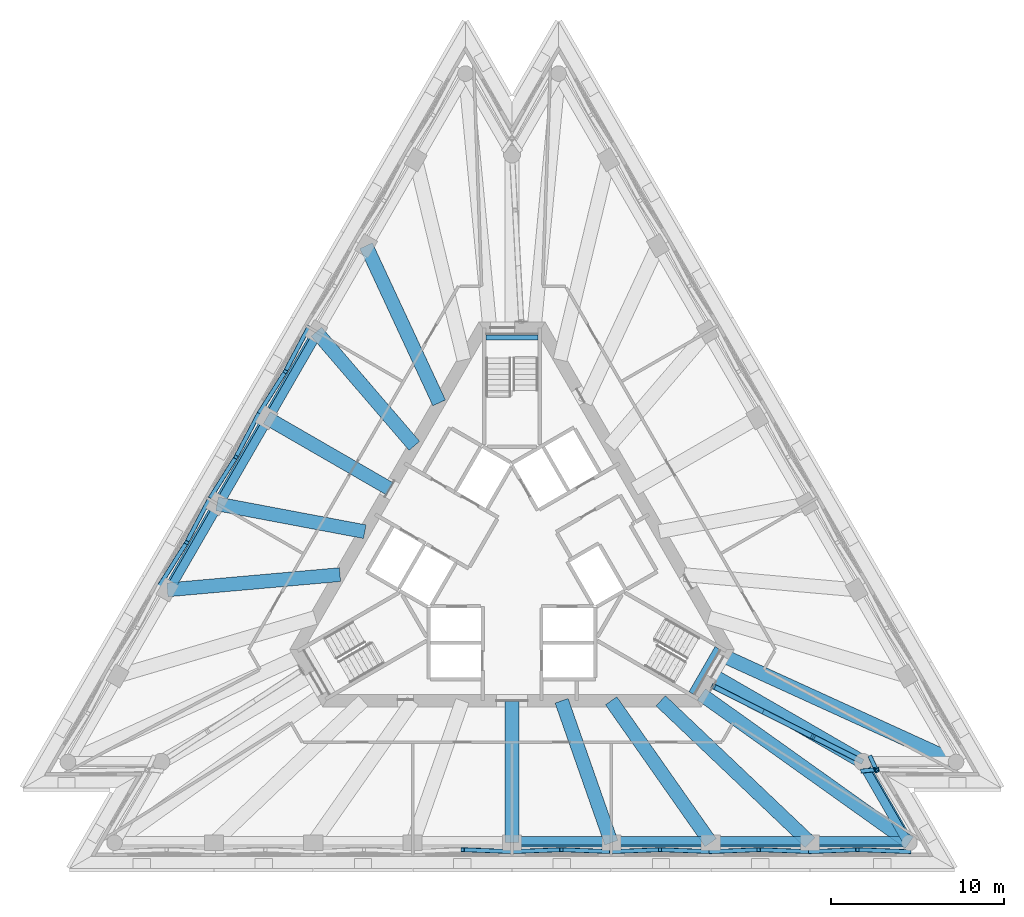
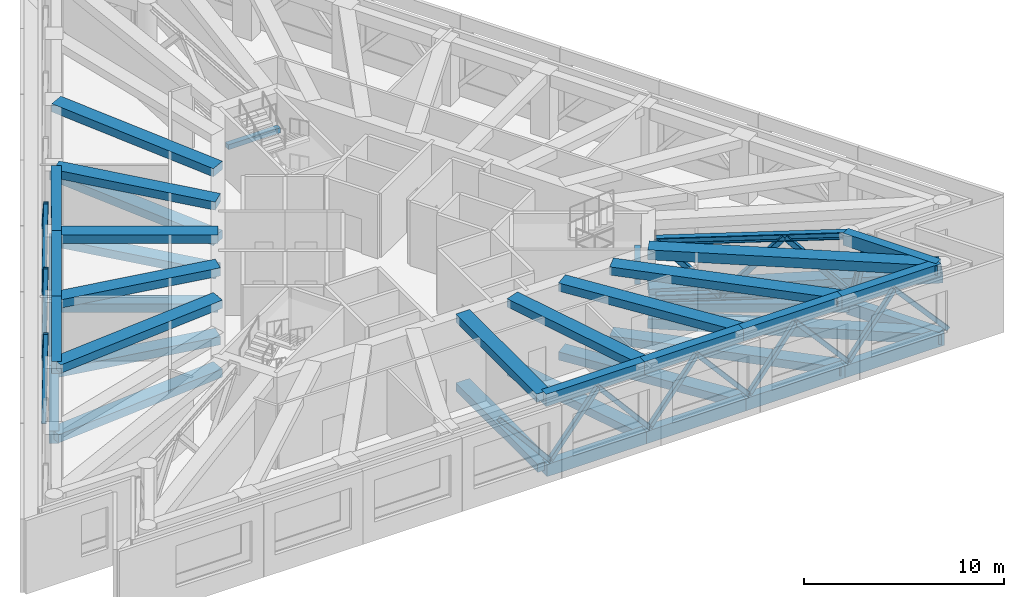
# One storey, part 2 of 12: 40 beams, 22 members.
"""IFC4 building model written with IfcOpenShell, lengths in metres."""

from ifc_helpers import new_model, si_unit, direction, frame, origin, origin_2d, place, context, subcontext, project, spatial, rectangle, hollow_rectangle, i_section, extrude, material, material_profile, profile_set, type_object, element, save


model = new_model("IFC4")

# Units and contexts
model_context = context("Model", 3, precision=1e-05, world=origin(), true_north=direction((0.0, 1.0)))
body_context = subcontext(model_context, "Body", "Model", "MODEL_VIEW")
ifc_project = project(units=[si_unit("LENGTHUNIT", "METRE"), si_unit("AREAUNIT", "SQUARE_METRE"), si_unit("VOLUMEUNIT", "CUBIC_METRE"), si_unit("PLANEANGLEUNIT", "RADIAN"), si_unit("MASSUNIT", "GRAM", prefix="KILO")], contexts=[model_context])

# Site, building, storey
site_placement = place(None, origin())
site = spatial("IfcSite", under=ifc_project, at=site_placement, CompositionType="ELEMENT")
building_placement = place(site_placement, origin())
building = spatial("IfcBuilding", under=site, at=building_placement, Name="Triada Interchange Tower", CompositionType="ELEMENT")
storey_placement = place(building_placement, frame((0.0, 0.0, 251.300048828125)))
storey = spatial("IfcBuildingStorey", under=building, at=storey_placement, Name="L59", CompositionType="ELEMENT", Elevation=251.300048828125)

# Members
ifc_material_1 = material(Name="Steel S355", Category="steel")
ifc_material_profile_1 = material_profile(ifc_material_1, hollow_rectangle(XDim=0.25, YDim=0.25, WallThickness=0.012451171875, InnerFilletRadius=0.012451171875, OuterFilletRadius=0.018798828125, at=origin_2d()), Name="RHS 250x250x12.5")
ifc_profile_set_1 = profile_set([ifc_material_profile_1], Name="Steel S355")
member_type_1 = type_object("IfcMemberType", Name="Belt truss diagonal RHS 250x250x12.5", PredefinedType="BRACE", material=ifc_profile_set_1)
member_1_placement = place(storey_placement, frame((-11.72509765625, 13.385009765625, 0.14990234375), z_axis=(-0.303292551184, -0.574865000495, 0.75996306463), x_axis=(0.884453601696, -0.466628145793, 0.0)))
element("IfcMember", 1, at=member_1_placement, inside=storey, type_object=member_type_1, Name="Belt truss diagonal 007 L59", PredefinedType="BRACE", context=body_context, shape_type="SweptSolid", body=[
    extrude(hollow_rectangle(XDim=0.25, YDim=0.25, WallThickness=0.012451171875, InnerFilletRadius=0.012451171875, OuterFilletRadius=0.018798828125, at=origin_2d()), origin(), (0.0, 0.0, 1.0), 4.44091796875),
])
member_2_placement = place(storey_placement, frame((-14.590087890625, 8.424072265625, 0.14990234375), z_axis=(0.343832386921, 0.545387396623, 0.764416036795), x_axis=(-0.845924761452, 0.5333022576, 0.0)))
element("IfcMember", 2, at=member_2_placement, inside=storey, type_object=member_type_1, Name="Belt truss diagonal 008 L59", PredefinedType="BRACE", context=body_context, shape_type="SweptSolid", body=[
    extrude(hollow_rectangle(XDim=0.25, YDim=0.25, WallThickness=0.012451171875, InnerFilletRadius=0.012451171875, OuterFilletRadius=0.018798828125, at=origin_2d()), origin(), (0.0, 0.0, 1.0), 4.4150390625),
])
member_3_placement = place(storey_placement, frame((-14.590087890625, 8.423095703125, 0.14990234375), z_axis=(-0.300508713361, -0.570496578558, 0.764348197517), x_axis=(0.884760065526, -0.466046807146, 0.0)))
element("IfcMember", 3, at=member_3_placement, inside=storey, type_object=member_type_1, Name="Belt truss diagonal 009 L59", PredefinedType="BRACE", context=body_context, shape_type="SweptSolid", body=[
    extrude(hollow_rectangle(XDim=0.25, YDim=0.25, WallThickness=0.012451171875, InnerFilletRadius=0.012451171875, OuterFilletRadius=0.018798828125, at=origin_2d()), origin(), (0.0, 0.0, 1.0), 4.41552734375),
])
member_4_placement = place(storey_placement, frame((-17.4541015625, 3.4619140625, 0.14990234375), z_axis=(0.346162693565, 0.549978625117, 0.760062432632), x_axis=(-0.846316189316, 0.532680868533, 0.0)))
element("IfcMember", 4, at=member_4_placement, inside=storey, type_object=member_type_1, Name="Belt truss diagonal 010 L59", PredefinedType="BRACE", context=body_context, shape_type="SweptSolid", body=[
    extrude(hollow_rectangle(XDim=0.25, YDim=0.25, WallThickness=0.012451171875, InnerFilletRadius=0.012451171875, OuterFilletRadius=0.018798828125, at=origin_2d()), origin(), (0.0, 0.0, 1.0), 4.4404296875),
])
member_5_placement = place(storey_placement, frame((-17.4541015625, 3.4619140625, 0.14990234375), z_axis=(-0.297890694584, -0.565975637385, 0.768721478799), x_axis=(0.884912564378, -0.465757182882, 0.0)))
element("IfcMember", 5, at=member_5_placement, inside=storey, type_object=member_type_1, Name="Belt truss diagonal 011 L59", PredefinedType="BRACE", context=body_context, shape_type="SweptSolid", body=[
    extrude(hollow_rectangle(XDim=0.25, YDim=0.25, WallThickness=0.012451171875, InnerFilletRadius=0.012451171875, OuterFilletRadius=0.018798828125, at=origin_2d()), origin(), (0.0, 0.0, 1.0), 4.390380859375),
])
member_6_placement = place(storey_placement, frame((-20.318115234375, -1.4990234375, 0.14990234375), z_axis=(0.348461595906, 0.554455209551, 0.755747270442), x_axis=(-0.846673085797, 0.532113414402, 0.0)))
element("IfcMember", 6, at=member_6_placement, inside=storey, type_object=member_type_1, Name="Belt truss diagonal 012 L59", PredefinedType="BRACE", context=body_context, shape_type="SweptSolid", body=[
    extrude(hollow_rectangle(XDim=0.25, YDim=0.25, WallThickness=0.012451171875, InnerFilletRadius=0.012451171875, OuterFilletRadius=0.018798828125, at=origin_2d()), origin(), (0.0, 0.0, 1.0), 4.4658203125),
])
for number, where, z_axis, x_axis, name in (
    (7, (0.0, -16.846923828125, 0.14990234375), (-0.644315944124, 0.024881333121, 0.764354553469), (-0.03858790391, -0.999255209479, 0.0), "Belt truss diagonal 028 L59"),
    (8, (0.0, -16.846923828125, 0.14990234375), (0.644315944124, 0.024881333121, 0.764354553469), (-0.03858790391, 0.999255209479, 0.0), "Belt truss diagonal 029 L59"),
):
    element("IfcMember", number, at=place(storey_placement, frame(where, z_axis=z_axis, x_axis=x_axis)), inside=storey, type_object=member_type_1, Name=name, PredefinedType="BRACE", context=body_context, shape_type="SweptSolid", body=[
        extrude(hollow_rectangle(XDim=0.25, YDim=0.25, WallThickness=0.012451171875, InnerFilletRadius=0.012451171875, OuterFilletRadius=0.018798828125, at=origin_2d()), origin(), (0.0, 0.0, 1.0), 4.41552734375),
    ])
member_7_placement = place(storey_placement, frame((5.72900390625, -16.846923828125, 0.14990234375), z_axis=(-0.649445975275, 0.024739751873, 0.760005177533), x_axis=(-0.038066016418, -0.999275226549, 0.0)))
element("IfcMember", 9, at=member_7_placement, inside=storey, type_object=member_type_1, Name="Belt truss diagonal 030 L59", PredefinedType="BRACE", context=body_context, shape_type="SweptSolid", body=[
    extrude(hollow_rectangle(XDim=0.25, YDim=0.25, WallThickness=0.012451171875, InnerFilletRadius=0.012451171875, OuterFilletRadius=0.018798828125, at=origin_2d()), origin(), (0.0, 0.0, 1.0), 4.440673828125),
])
member_8_placement = place(storey_placement, frame((5.72900390625, -16.846923828125, 0.14990234375), z_axis=(0.639097435912, 0.025023392166, 0.76871860733), x_axis=(-0.039124289424, 0.99923435188, 0.0)))
element("IfcMember", 10, at=member_8_placement, inside=storey, type_object=member_type_1, Name="Belt truss diagonal 031 L59", PredefinedType="BRACE", context=body_context, shape_type="SweptSolid", body=[
    extrude(hollow_rectangle(XDim=0.25, YDim=0.25, WallThickness=0.012451171875, InnerFilletRadius=0.012451171875, OuterFilletRadius=0.018798828125, at=origin_2d()), origin(), (0.0, 0.0, 1.0), 4.390380859375),
])
member_9_placement = place(storey_placement, frame((11.4580078125, -16.846923828125, 0.14990234375), z_axis=(-0.65448883738, 0.024598678428, 0.755671401315), x_axis=(-0.037558047393, -0.999294447636, 0.0)))
element("IfcMember", 11, at=member_9_placement, inside=storey, type_object=member_type_1, Name="Belt truss diagonal 032 L59", PredefinedType="BRACE", context=body_context, shape_type="SweptSolid", body=[
    extrude(hollow_rectangle(XDim=0.25, YDim=0.25, WallThickness=0.012451171875, InnerFilletRadius=0.012451171875, OuterFilletRadius=0.018798828125, at=origin_2d()), origin(), (0.0, 0.0, 1.0), 4.46630859375),
])
member_10_placement = place(storey_placement, frame((11.4580078125, -16.846923828125, 0.14990234375), z_axis=(0.633688749603, 0.025168573462, 0.773178576744), x_axis=(-0.039686274076, 0.999212189502, 0.0)))
element("IfcMember", 12, at=member_10_placement, inside=storey, type_object=member_type_1, Name="Belt truss diagonal 033 L59", PredefinedType="BRACE", context=body_context, shape_type="SweptSolid", body=[
    extrude(hollow_rectangle(XDim=0.25, YDim=0.25, WallThickness=0.012451171875, InnerFilletRadius=0.012451171875, OuterFilletRadius=0.018798828125, at=origin_2d()), origin(), (0.0, 0.0, 1.0), 4.364990234375),
])
member_11_placement = place(storey_placement, frame((17.18603515625, -16.846923828125, 0.14990234375), z_axis=(-0.659415122741, 0.024459017906, 0.751381030067), x_axis=(-0.037066498562, -0.999312801221, 0.0)))
element("IfcMember", 13, at=member_11_placement, inside=storey, type_object=member_type_1, Name="Belt truss diagonal 034 L59", PredefinedType="BRACE", context=body_context, shape_type="SweptSolid", body=[
    extrude(hollow_rectangle(XDim=0.25, YDim=0.25, WallThickness=0.012451171875, InnerFilletRadius=0.012451171875, OuterFilletRadius=0.018798828125, at=origin_2d()), origin(), (0.0, 0.0, 1.0), 4.49169921875),
])
member_12_placement = place(storey_placement, frame((17.18603515625, -16.846923828125, 0.14990234375), z_axis=(0.628423805932, 0.025307921306, 0.77745934251), x_axis=(-0.040239442414, 0.99919006564, 0.0)))
element("IfcMember", 14, at=member_12_placement, inside=storey, type_object=member_type_1, Name="Belt truss diagonal 035 L59", PredefinedType="BRACE", context=body_context, shape_type="SweptSolid", body=[
    extrude(hollow_rectangle(XDim=0.25, YDim=0.25, WallThickness=0.012451171875, InnerFilletRadius=0.012451171875, OuterFilletRadius=0.018798828125, at=origin_2d()), origin(), (0.0, 0.0, 1.0), 4.341064453125),
])
member_13_placement = place(storey_placement, frame((22.9150390625, -16.846923828125, 0.14990234375), z_axis=(-0.664288100103, 0.024319040437, 0.747080922212), x_axis=(-0.03658466894, -0.999330556922, 0.0)))
element("IfcMember", 15, at=member_13_placement, inside=storey, type_object=member_type_1, Name="Belt truss diagonal 036 L59", PredefinedType="BRACE", context=body_context, shape_type="SweptSolid", body=[
    extrude(hollow_rectangle(XDim=0.25, YDim=0.25, WallThickness=0.012451171875, InnerFilletRadius=0.012451171875, OuterFilletRadius=0.018798828125, at=origin_2d()), origin(), (0.0, 0.0, 1.0), 4.517578125),
])
member_14_placement = place(storey_placement, frame((20.675048828125, -11.422119140625, 0.14990234375), z_axis=(0.098439563128, -0.216412458554, 0.971326567223), x_axis=(0.910255111941, 0.414047860984, 0.0)))
element("IfcMember", 16, at=member_14_placement, inside=storey, type_object=member_type_1, Name="Belt truss diagonal 038 L59", PredefinedType="BRACE", context=body_context, shape_type="SweptSolid", body=[
    extrude(hollow_rectangle(XDim=0.25, YDim=0.25, WallThickness=0.012451171875, InnerFilletRadius=0.012451171875, OuterFilletRadius=0.018798828125, at=origin_2d()), origin(), (0.0, 0.0, 1.0), 3.474609375),
])
member_15_placement = place(storey_placement, frame((20.22900390625, -12.194091796875, 0.14990234375), z_axis=(0.236846343965, 0.02304526871, 0.971273764157), x_axis=(-0.096843158335, 0.995299654719, 0.0)))
element("IfcMember", 17, at=member_15_placement, inside=storey, type_object=member_type_1, Name="Belt truss diagonal 039 L59", PredefinedType="BRACE", context=body_context, shape_type="SweptSolid", body=[
    extrude(hollow_rectangle(XDim=0.25, YDim=0.25, WallThickness=0.012451171875, InnerFilletRadius=0.012451171875, OuterFilletRadius=0.018798828125, at=origin_2d()), origin(), (0.0, 0.0, 1.0), 3.474853515625),
])

# Beams
ifc_material_2 = material(Name="Concrete C35/45", Category="concrete")
ifc_material_profile_2 = material_profile(ifc_material_2, rectangle(XDim=0.300048828125, YDim=0.300048828125, at=origin_2d()), Name="RC 300x300")
ifc_profile_set_2 = profile_set([ifc_material_profile_2], Name="Concrete C35/45")
beam_type_1 = type_object("IfcBeamType", Name="Landing support beam RC 300x300", PredefinedType="BEAM", material=ifc_profile_set_2)
beam_1_placement = place(storey_placement, frame((1.5, 12.800048828125, 1.822265625), z_axis=(-1.0, 0.0, 0.0), x_axis=(0.0, -1.0, 0.0)))
element("IfcBeam", 18, at=beam_1_placement, inside=storey, type_object=beam_type_1, Name="Landing support beam S59-1 1", PredefinedType="BEAM", context=body_context, shape_type="SweptSolid", body=[
    extrude(rectangle(XDim=0.300048828125, YDim=0.300048828125, at=origin_2d()), origin(), (0.0, 0.0, 1.0), 3.0),
])
beam_2_placement = place(storey_placement, frame((10.3349609375, -7.698974609375, 1.822265625), z_axis=(0.50002537861, 0.866010750942, 0.0), x_axis=(-0.866010750942, 0.50002537861, 0.0)))
element("IfcBeam", 19, at=beam_2_placement, inside=storey, type_object=beam_type_1, Name="Landing support beam S59-3 1", PredefinedType="BEAM", context=body_context, shape_type="SweptSolid", body=[
    extrude(rectangle(XDim=0.300048828125, YDim=0.300048828125, at=origin_2d()), origin(), (0.0, 0.0, 1.0), 2.999755859375),
])

# Members
ifc_material_3 = material(Name="Steel S460M", Category="steel")
ifc_material_profile_3 = material_profile(ifc_material_3, i_section(OverallWidth=0.306884765625, OverallDepth=0.431884765625, WebThickness=0.02099609375, FlangeThickness=0.0400390625, FilletRadius=0.027099609375, at=origin_2d()), Name="HEM 400")
ifc_profile_set_3 = profile_set([ifc_material_profile_3], Name="Steel S460M")
member_type_2 = type_object("IfcMemberType", Name="Outrigger chord HEM 400", PredefinedType="CHORD", material=ifc_profile_set_3)
for number, where, z_axis, x_axis, name in (
    (20, (11.613037109375, -7.321044921875, 0.216064453125), (0.89234927401, -0.451345514184, 0.0), (0.451345514184, 0.89234927401, 0.0), "Outrigger bottom chord SE L59"),
    (21, (11.613037109375, -7.321044921875, 3.683837890625), (0.89234927401, -0.451345514184, 0.0), (0.451345514184, 0.89234927401, 0.0), "Outrigger top chord SE L59"),
):
    element("IfcMember", number, at=place(storey_placement, frame(where, z_axis=z_axis, x_axis=x_axis)), inside=storey, type_object=member_type_2, Name=name, PredefinedType="CHORD", context=body_context, shape_type="SweptSolid", body=[
        extrude(i_section(OverallWidth=0.306884765625, OverallDepth=0.431884765625, WebThickness=0.02099609375, FlangeThickness=0.0400390625, FilletRadius=0.027099609375, at=origin_2d()), origin(), (0.0, 0.0, 1.0), 9.6552734375),
    ])
ifc_material_profile_4 = material_profile(ifc_material_1, hollow_rectangle(XDim=0.300048828125, YDim=0.300048828125, WallThickness=0.01611328125, InnerFilletRadius=0.01611328125, OuterFilletRadius=0.02392578125, at=origin_2d()), Name="RHS 300x300x16")
ifc_profile_set_4 = profile_set([ifc_material_profile_4], Name="Steel S355")
member_type_3 = type_object("IfcMemberType", Name="Outrigger diagonal RHS 300x300x16", PredefinedType="BRACE", material=ifc_profile_set_4)
member_16_placement = place(storey_placement, frame((11.613037109375, -7.321044921875, 3.683837890625), z_axis=(0.607037494343, -0.307079235705, -0.732944625098), x_axis=(0.451395730172, 0.892323873256, 0.0)))
element("IfcMember", 22, at=member_16_placement, inside=storey, type_object=member_type_3, Name="Outrigger diagonal SE 1 L59", PredefinedType="BRACE", context=body_context, shape_type="SweptSolid", body=[
    extrude(hollow_rectangle(XDim=0.300048828125, YDim=0.300048828125, WallThickness=0.01611328125, InnerFilletRadius=0.01611328125, OuterFilletRadius=0.02392578125, at=origin_2d()), origin(), (0.0, 0.0, 1.0), 4.731201171875),
])
member_17_placement = place(storey_placement, frame((14.485107421875, -8.77392578125, 0.216064453125), z_axis=(0.607033758131, -0.306948634988, 0.733002422894), x_axis=(0.451245060804, 0.892400075695, 0.0)))
element("IfcMember", 23, at=member_17_placement, inside=storey, type_object=member_type_3, Name="Outrigger diagonal SE 2 L59", PredefinedType="BRACE", context=body_context, shape_type="SweptSolid", body=[
    extrude(hollow_rectangle(XDim=0.300048828125, YDim=0.300048828125, WallThickness=0.01611328125, InnerFilletRadius=0.01611328125, OuterFilletRadius=0.02392578125, at=origin_2d()), origin(), (0.0, 0.0, 1.0), 4.73095703125),
])
member_18_placement = place(storey_placement, frame((17.35693359375, -10.22607421875, 3.683837890625), z_axis=(0.607037494343, -0.307079235705, -0.732944625098), x_axis=(0.451395730172, 0.892323873256, 0.0)))
element("IfcMember", 24, at=member_18_placement, inside=storey, type_object=member_type_3, Name="Outrigger diagonal SE 3 L59", PredefinedType="BRACE", context=body_context, shape_type="SweptSolid", body=[
    extrude(hollow_rectangle(XDim=0.300048828125, YDim=0.300048828125, WallThickness=0.01611328125, InnerFilletRadius=0.01611328125, OuterFilletRadius=0.02392578125, at=origin_2d()), origin(), (0.0, 0.0, 1.0), 4.731201171875),
])

# Beams
ifc_material_4 = material(Name="Concrete C50/60", Category="concrete")
ifc_material_profile_5 = material_profile(ifc_material_4, rectangle(XDim=0.800048828125, YDim=0.5, at=origin_2d()), Name="RC 800x500")
ifc_profile_set_5 = profile_set([ifc_material_profile_5], Name="Concrete C50/60")
beam_type_2 = type_object("IfcBeamType", Name="Radial band beam C RC 800x500", PredefinedType="BEAM", material=ifc_profile_set_5)
beam_3_placement = place(storey_placement, frame((-8.4150390625, 18.087890625, -0.550048828125), z_axis=(0.421827422938, -0.90667614133, 0.0), x_axis=(0.90667614133, 0.421827422938, 0.0)))
element("IfcBeam", 25, at=beam_3_placement, inside=storey, type_object=beam_type_2, Name="Radial band beam BC03 L59", PredefinedType="BEAM", context=body_context, shape_type="SweptSolid", body=[
    extrude(rectangle(XDim=0.800048828125, YDim=0.5, at=origin_2d()), origin(), (0.0, 0.0, 1.0), 9.994873046875),
])
beam_4_placement = place(storey_placement, frame((-11.279052734375, 13.126953125, -0.550048828125), z_axis=(0.651697648525, -0.75847885594, 0.0), x_axis=(0.75847885594, 0.651697648525, 0.0)))
element("IfcBeam", 26, at=beam_4_placement, inside=storey, type_object=beam_type_2, Name="Radial band beam BC04 L59", PredefinedType="BEAM", context=body_context, shape_type="SweptSolid", body=[
    extrude(rectangle(XDim=0.800048828125, YDim=0.5, at=origin_2d()), origin(), (0.0, 0.0, 1.0), 8.669921875),
])
beam_5_placement = place(storey_placement, frame((-14.14404296875, 8.166015625, -0.550048828125), z_axis=(0.866025587421, -0.499999681933, 0.0), x_axis=(0.499999681933, 0.866025587421, 0.0)))
element("IfcBeam", 27, at=beam_5_placement, inside=storey, type_object=beam_type_2, Name="Radial band beam BC05 L59", PredefinedType="BEAM", context=body_context, shape_type="SweptSolid", body=[
    extrude(rectangle(XDim=0.800048828125, YDim=0.5, at=origin_2d()), origin(), (0.0, 0.0, 1.0), 8.18212890625),
])
beam_6_placement = place(storey_placement, frame((-17.008056640625, 3.205078125, -0.550048828125), z_axis=(0.982698994393, -0.185209844282, 0.0), x_axis=(0.185209844282, 0.982698994393, 0.0)))
element("IfcBeam", 28, at=beam_6_placement, inside=storey, type_object=beam_type_2, Name="Radial band beam BC06 L59", PredefinedType="BEAM", context=body_context, shape_type="SweptSolid", body=[
    extrude(rectangle(XDim=0.800048828125, YDim=0.5, at=origin_2d()), origin(), (0.0, 0.0, 1.0), 8.6708984375),
])
beam_7_placement = place(storey_placement, frame((-19.8720703125, -1.756103515625, -0.550048828125), z_axis=(0.996114611553, 0.088066342325, 0.0), x_axis=(-0.088066342325, 0.996114611553, 0.0)))
element("IfcBeam", 29, at=beam_7_placement, inside=storey, type_object=beam_type_2, Name="Radial band beam BC07 L59", PredefinedType="BEAM", context=body_context, shape_type="SweptSolid", body=[
    extrude(rectangle(XDim=0.800048828125, YDim=0.5, at=origin_2d()), origin(), (0.0, 0.0, 1.0), 9.993896484375),
])
beam_8_placement = place(storey_placement, frame((0.0, -16.33203125, -0.550048828125), z_axis=(0.0, 1.0, 0.0), x_axis=(-1.0, 0.0, 0.0)))
element("IfcBeam", 30, at=beam_8_placement, inside=storey, type_object=beam_type_2, Name="Radial band beam BC15 L59", PredefinedType="BEAM", context=body_context, shape_type="SweptSolid", body=[
    extrude(rectangle(XDim=0.800048828125, YDim=0.5, at=origin_2d()), origin(), (0.0, 0.0, 1.0), 8.18212890625),
])
beam_9_placement = place(storey_placement, frame((5.72900390625, -16.33203125, -0.550048828125), z_axis=(-0.331005025402, 0.943628991266, 0.0), x_axis=(-0.943628991266, -0.331005025402, 0.0)))
element("IfcBeam", 31, at=beam_9_placement, inside=storey, type_object=beam_type_2, Name="Radial band beam BC16 L59", PredefinedType="BEAM", context=body_context, shape_type="SweptSolid", body=[
    extrude(rectangle(XDim=0.800048828125, YDim=0.5, at=origin_2d()), origin(), (0.0, 0.0, 1.0), 8.6708984375),
])
beam_10_placement = place(storey_placement, frame((11.4580078125, -16.33203125, -0.550048828125), z_axis=(-0.574301411492, 0.818643932829, 0.0), x_axis=(-0.818643932829, -0.574301411492, 0.0)))
element("IfcBeam", 32, at=beam_10_placement, inside=storey, type_object=beam_type_2, Name="Radial band beam BC17 L59", PredefinedType="BEAM", context=body_context, shape_type="SweptSolid", body=[
    extrude(rectangle(XDim=0.800048828125, YDim=0.5, at=origin_2d()), origin(), (0.0, 0.0, 1.0), 9.99462890625),
])
beam_11_placement = place(storey_placement, frame((17.18603515625, -16.33203125, -0.550048828125), z_axis=(-0.724893195555, 0.688861274161, 0.0), x_axis=(-0.688861274161, -0.724893195555, 0.0)))
element("IfcBeam", 33, at=beam_11_placement, inside=storey, type_object=beam_type_2, Name="Radial band beam BC18 L59", PredefinedType="BEAM", context=body_context, shape_type="SweptSolid", body=[
    extrude(rectangle(XDim=0.800048828125, YDim=0.5, at=origin_2d()), origin(), (0.0, 0.0, 1.0), 11.877685546875),
])
beam_12_placement = place(storey_placement, frame((20.22900390625, -11.678955078125, -0.550048828125), z_axis=(-0.866024712477, 0.500001197378, 0.0), x_axis=(-0.500001197378, -0.866024712477, 0.0)))
element("IfcBeam", 34, at=beam_12_placement, inside=storey, type_object=beam_type_2, Name="Radial band beam BC20 L59", PredefinedType="BEAM", context=body_context, shape_type="SweptSolid", body=[
    extrude(rectangle(XDim=0.800048828125, YDim=0.5, at=origin_2d()), origin(), (0.0, 0.0, 1.0), 10.0078125),
])
beam_13_placement = place(storey_placement, frame((-8.35888671875, 17.966064453125, 3.64990234375), z_axis=(0.421789924473, -0.906693586397, 0.0), x_axis=(0.906693586397, 0.421789924473, 0.0)))
element("IfcBeam", 35, at=beam_13_placement, inside=storey, type_object=beam_type_2, Name="Radial band beam BC03 L60", PredefinedType="BEAM", context=body_context, shape_type="SweptSolid", body=[
    extrude(rectangle(XDim=0.800048828125, YDim=0.5, at=origin_2d()), origin(), (0.0, 0.0, 1.0), 9.860107421875),
])
beam_14_placement = place(storey_placement, frame((-11.2041015625, 13.0380859375, 3.64990234375), z_axis=(0.651735706021, -0.758446154646, 0.0), x_axis=(0.758446154646, 0.651735706021, 0.0)))
element("IfcBeam", 36, at=beam_14_placement, inside=storey, type_object=beam_type_2, Name="Radial band beam BC04 L60", PredefinedType="BEAM", context=body_context, shape_type="SweptSolid", body=[
    extrude(rectangle(XDim=0.800048828125, YDim=0.5, at=origin_2d()), origin(), (0.0, 0.0, 1.0), 8.554443359375),
])
beam_15_placement = place(storey_placement, frame((-14.048095703125, 8.111083984375, 3.64990234375), z_axis=(0.866000721582, -0.500042748392, 0.0), x_axis=(0.500042748392, 0.866000721582, 0.0)))
element("IfcBeam", 37, at=beam_15_placement, inside=storey, type_object=beam_type_2, Name="Radial band beam BC05 L60", PredefinedType="BEAM", context=body_context, shape_type="SweptSolid", body=[
    extrude(rectangle(XDim=0.800048828125, YDim=0.5, at=origin_2d()), origin(), (0.0, 0.0, 1.0), 8.071533203125),
])
beam_16_placement = place(storey_placement, frame((-16.89306640625, 3.18310546875, 3.64990234375), z_axis=(0.982705385123, -0.185175932697, 0.0), x_axis=(0.185175932697, 0.982705385123, 0.0)))
element("IfcBeam", 38, at=beam_16_placement, inside=storey, type_object=beam_type_2, Name="Radial band beam BC06 L60", PredefinedType="BEAM", context=body_context, shape_type="SweptSolid", body=[
    extrude(rectangle(XDim=0.800048828125, YDim=0.5, at=origin_2d()), origin(), (0.0, 0.0, 1.0), 8.553955078125),
])
beam_17_placement = place(storey_placement, frame((-19.738037109375, -1.743896484375, 3.64990234375), z_axis=(0.996117788909, 0.088030395992, 0.0), x_axis=(-0.088030395992, 0.996117788909, 0.0)))
element("IfcBeam", 39, at=beam_17_placement, inside=storey, type_object=beam_type_2, Name="Radial band beam BC07 L60", PredefinedType="BEAM", context=body_context, shape_type="SweptSolid", body=[
    extrude(rectangle(XDim=0.800048828125, YDim=0.5, at=origin_2d()), origin(), (0.0, 0.0, 1.0), 9.859375),
])
beam_18_placement = place(storey_placement, frame((0.0, -16.221923828125, 3.64990234375), z_axis=(0.0, 1.0, 0.0), x_axis=(-1.0, 0.0, 0.0)))
element("IfcBeam", 40, at=beam_18_placement, inside=storey, type_object=beam_type_2, Name="Radial band beam BC15 L60", PredefinedType="BEAM", context=body_context, shape_type="SweptSolid", body=[
    extrude(rectangle(XDim=0.800048828125, YDim=0.5, at=origin_2d()), origin(), (0.0, 0.0, 1.0), 8.072021484375),
])
beam_19_placement = place(storey_placement, frame((5.68994140625, -16.221923828125, 3.64990234375), z_axis=(-0.330959311485, 0.943645025495, 0.0), x_axis=(-0.943645025495, -0.330959311485, 0.0)))
element("IfcBeam", 41, at=beam_19_placement, inside=storey, type_object=beam_type_2, Name="Radial band beam BC16 L60", PredefinedType="BEAM", context=body_context, shape_type="SweptSolid", body=[
    extrude(rectangle(XDim=0.800048828125, YDim=0.5, at=origin_2d()), origin(), (0.0, 0.0, 1.0), 8.55419921875),
])
beam_20_placement = place(storey_placement, frame((11.3798828125, -16.221923828125, 3.64990234375), z_axis=(-0.574307866409, 0.818639404488, 0.0), x_axis=(-0.818639404488, -0.574307866409, 0.0)))
element("IfcBeam", 42, at=beam_20_placement, inside=storey, type_object=beam_type_2, Name="Radial band beam BC17 L60", PredefinedType="BEAM", context=body_context, shape_type="SweptSolid", body=[
    extrude(rectangle(XDim=0.800048828125, YDim=0.5, at=origin_2d()), origin(), (0.0, 0.0, 1.0), 9.8603515625),
])
beam_21_placement = place(storey_placement, frame((17.069091796875, -16.221923828125, 3.64990234375), z_axis=(-0.724849592965, 0.688907154542, 0.0), x_axis=(-0.688907154542, -0.724849592965, 0.0)))
element("IfcBeam", 43, at=beam_21_placement, inside=storey, type_object=beam_type_2, Name="Radial band beam BC18 L60", PredefinedType="BEAM", context=body_context, shape_type="SweptSolid", body=[
    extrude(rectangle(XDim=0.800048828125, YDim=0.5, at=origin_2d()), origin(), (0.0, 0.0, 1.0), 11.717041015625),
])
ifc_material_profile_6 = material_profile(ifc_material_4, rectangle(XDim=0.800048828125, YDim=0.60009765625, at=origin_2d()), Name="RC 800x600")
ifc_profile_set_6 = profile_set([ifc_material_profile_6], Name="Concrete C50/60")
beam_type_3 = type_object("IfcBeamType", Name="Radial band beam C RC 800x600", PredefinedType="BEAM", material=ifc_profile_set_6)
beam_22_placement = place(storey_placement, frame((22.9150390625, -16.33203125, -0.60009765625), z_axis=(-0.814347897514, 0.580377034189, 0.0), x_axis=(-0.580377034189, -0.814347897514, 0.0)))
element("IfcBeam", 44, at=beam_22_placement, inside=storey, type_object=beam_type_3, Name="Radial band beam BC19 L59", PredefinedType="BEAM", context=body_context, shape_type="SweptSolid", body=[
    extrude(rectangle(XDim=0.800048828125, YDim=0.60009765625, at=origin_2d()), origin(), (0.0, 0.0, 1.0), 14.728515625),
])
beam_23_placement = place(storey_placement, frame((25.60107421875, -11.678955078125, -0.60009765625), z_axis=(-0.909789946736, 0.415068973568, 0.0), x_axis=(-0.415068973568, -0.909789946736, 0.0)))
element("IfcBeam", 45, at=beam_23_placement, inside=storey, type_object=beam_type_3, Name="Radial band beam BC21 L59", PredefinedType="BEAM", context=body_context, shape_type="SweptSolid", body=[
    extrude(rectangle(XDim=0.800048828125, YDim=0.60009765625, at=origin_2d()), origin(), (0.0, 0.0, 1.0), 14.727783203125),
])
beam_24_placement = place(storey_placement, frame((22.759033203125, -16.221923828125, 3.599853515625), z_axis=(-0.814312905099, 0.580426130174, 0.0), x_axis=(-0.580426130174, -0.814312905099, 0.0)))
element("IfcBeam", 46, at=beam_24_placement, inside=storey, type_object=beam_type_3, Name="Radial band beam BC19 L60", PredefinedType="BEAM", context=body_context, shape_type="SweptSolid", body=[
    extrude(rectangle(XDim=0.800048828125, YDim=0.60009765625, at=origin_2d()), origin(), (0.0, 0.0, 1.0), 14.53759765625),
])
ifc_material_profile_7 = material_profile(ifc_material_4, rectangle(XDim=0.5, YDim=0.75, at=origin_2d()), Name="RC 500x750")
ifc_profile_set_7 = profile_set([ifc_material_profile_7], Name="Concrete C50/60")
beam_type_4 = type_object("IfcBeamType", Name="Spandrel beam C RC 500x750", PredefinedType="BEAM", material=ifc_profile_set_7)
beam_25_placement = place(storey_placement, frame((-11.279052734375, 13.126953125, -0.675048828125), z_axis=(-0.500103635176, -0.865965561719, 0.0), x_axis=(0.865965561719, -0.500103635176, 0.0)))
element("IfcBeam", 47, at=beam_25_placement, inside=storey, type_object=beam_type_4, Name="Spandrel beam EC04 L59", PredefinedType="BEAM", context=body_context, shape_type="SweptSolid", body=[
    extrude(rectangle(XDim=0.5, YDim=0.75, at=origin_2d()), origin(), (0.0, 0.0, 1.0), 5.728759765625),
])
beam_26_placement = place(storey_placement, frame((-14.14404296875, 8.166015625, -0.675048828125), z_axis=(-0.499975787251, -0.86603938257, 0.0), x_axis=(0.86603938257, -0.499975787251, 0.0)))
element("IfcBeam", 48, at=beam_26_placement, inside=storey, type_object=beam_type_4, Name="Spandrel beam EC05 L59", PredefinedType="BEAM", context=body_context, shape_type="SweptSolid", body=[
    extrude(rectangle(XDim=0.5, YDim=0.75, at=origin_2d()), origin(), (0.0, 0.0, 1.0), 5.728271484375),
])
beam_27_placement = place(storey_placement, frame((-17.008056640625, 3.205078125, -0.675048828125), z_axis=(-0.499957333392, -0.866050035961, 0.0), x_axis=(0.866050035961, -0.499957333392, 0.0)))
element("IfcBeam", 49, at=beam_27_placement, inside=storey, type_object=beam_type_4, Name="Spandrel beam EC06 L59", PredefinedType="BEAM", context=body_context, shape_type="SweptSolid", body=[
    extrude(rectangle(XDim=0.5, YDim=0.75, at=origin_2d()), origin(), (0.0, 0.0, 1.0), 5.728515625),
])
for number, where, z_axis, x_axis, name in (
    (50, (0.0, -16.33203125, -0.675048828125), (1.0, 0.0, 0.0), (0.0, 1.0, 0.0), "Spandrel beam EC15 L59"),
    (51, (5.72900390625, -16.33203125, -0.675048828125), (1.0, 0.0, 0.0), (0.0, 1.0, 0.0), "Spandrel beam EC16 L59"),
):
    element("IfcBeam", number, at=place(storey_placement, frame(where, z_axis=z_axis, x_axis=x_axis)), inside=storey, type_object=beam_type_4, Name=name, PredefinedType="BEAM", context=body_context, shape_type="SweptSolid", body=[
        extrude(rectangle(XDim=0.5, YDim=0.75, at=origin_2d()), origin(), (0.0, 0.0, 1.0), 5.72900390625),
    ])
beam_28_placement = place(storey_placement, frame((11.4580078125, -16.33203125, -0.675048828125), z_axis=(1.0, 0.0, 0.0), x_axis=(0.0, 1.0, 0.0)))
element("IfcBeam", 52, at=beam_28_placement, inside=storey, type_object=beam_type_4, Name="Spandrel beam EC17 L59", PredefinedType="BEAM", context=body_context, shape_type="SweptSolid", body=[
    extrude(rectangle(XDim=0.5, YDim=0.75, at=origin_2d()), origin(), (0.0, 0.0, 1.0), 5.72802734375),
])
beam_29_placement = place(storey_placement, frame((17.18603515625, -16.33203125, -0.675048828125), z_axis=(1.0, 0.0, 0.0), x_axis=(0.0, 1.0, 0.0)))
element("IfcBeam", 53, at=beam_29_placement, inside=storey, type_object=beam_type_4, Name="Spandrel beam EC18 L59", PredefinedType="BEAM", context=body_context, shape_type="SweptSolid", body=[
    extrude(rectangle(XDim=0.5, YDim=0.75, at=origin_2d()), origin(), (0.0, 0.0, 1.0), 5.72900390625),
])
beam_30_placement = place(storey_placement, frame((22.9150390625, -16.33203125, -0.675048828125), z_axis=(-0.499941421582, 0.866059221408, 0.0), x_axis=(-0.866059221408, -0.499941421582, 0.0)))
element("IfcBeam", 54, at=beam_30_placement, inside=storey, type_object=beam_type_4, Name="Spandrel beam EC19 L59", PredefinedType="BEAM", context=body_context, shape_type="SweptSolid", body=[
    extrude(rectangle(XDim=0.5, YDim=0.75, at=origin_2d()), origin(), (0.0, 0.0, 1.0), 5.372802734375),
])
beam_31_placement = place(storey_placement, frame((-11.2041015625, 13.0380859375, 3.52490234375), z_axis=(-0.499919345684, -0.866071964568, 0.0), x_axis=(0.866071964568, -0.499919345684, 0.0)))
element("IfcBeam", 55, at=beam_31_placement, inside=storey, type_object=beam_type_4, Name="Spandrel beam EC04 L60", PredefinedType="BEAM", context=body_context, shape_type="SweptSolid", body=[
    extrude(rectangle(XDim=0.5, YDim=0.75, at=origin_2d()), origin(), (0.0, 0.0, 1.0), 5.68896484375),
])
beam_32_placement = place(storey_placement, frame((-14.048095703125, 8.111083984375, 3.52490234375), z_axis=(-0.499973768087, -0.866040548257, 0.0), x_axis=(0.866040548257, -0.499973768087, 0.0)))
element("IfcBeam", 56, at=beam_32_placement, inside=storey, type_object=beam_type_4, Name="Spandrel beam EC05 L60", PredefinedType="BEAM", context=body_context, shape_type="SweptSolid", body=[
    extrude(rectangle(XDim=0.5, YDim=0.75, at=origin_2d()), origin(), (0.0, 0.0, 1.0), 5.690185546875),
])
beam_33_placement = place(storey_placement, frame((-16.89306640625, 3.18310546875, 3.52490234375), z_axis=(-0.500048088601, -0.865997638038, 0.0), x_axis=(0.865997638038, -0.500048088601, 0.0)))
element("IfcBeam", 57, at=beam_33_placement, inside=storey, type_object=beam_type_4, Name="Spandrel beam EC06 L60", PredefinedType="BEAM", context=body_context, shape_type="SweptSolid", body=[
    extrude(rectangle(XDim=0.5, YDim=0.75, at=origin_2d()), origin(), (0.0, 0.0, 1.0), 5.689453125),
])
for number, where, z_axis, x_axis, name in (
    (58, (0.0, -16.221923828125, 3.52490234375), (1.0, 0.0, 0.0), (0.0, 1.0, 0.0), "Spandrel beam EC15 L60"),
    (59, (5.68994140625, -16.221923828125, 3.52490234375), (1.0, 0.0, 0.0), (0.0, 1.0, 0.0), "Spandrel beam EC16 L60"),
):
    element("IfcBeam", number, at=place(storey_placement, frame(where, z_axis=z_axis, x_axis=x_axis)), inside=storey, type_object=beam_type_4, Name=name, PredefinedType="BEAM", context=body_context, shape_type="SweptSolid", body=[
        extrude(rectangle(XDim=0.5, YDim=0.75, at=origin_2d()), origin(), (0.0, 0.0, 1.0), 5.68994140625),
    ])
beam_34_placement = place(storey_placement, frame((11.3798828125, -16.221923828125, 3.52490234375), z_axis=(1.0, 0.0, 0.0), x_axis=(0.0, 1.0, 0.0)))
element("IfcBeam", 60, at=beam_34_placement, inside=storey, type_object=beam_type_4, Name="Spandrel beam EC17 L60", PredefinedType="BEAM", context=body_context, shape_type="SweptSolid", body=[
    extrude(rectangle(XDim=0.5, YDim=0.75, at=origin_2d()), origin(), (0.0, 0.0, 1.0), 5.689208984375),
])
beam_35_placement = place(storey_placement, frame((17.069091796875, -16.221923828125, 3.52490234375), z_axis=(1.0, 0.0, 0.0), x_axis=(0.0, 1.0, 0.0)))
element("IfcBeam", 61, at=beam_35_placement, inside=storey, type_object=beam_type_4, Name="Spandrel beam EC18 L60", PredefinedType="BEAM", context=body_context, shape_type="SweptSolid", body=[
    extrude(rectangle(XDim=0.5, YDim=0.75, at=origin_2d()), origin(), (0.0, 0.0, 1.0), 5.68994140625),
])
beam_36_placement = place(storey_placement, frame((22.759033203125, -16.221923828125, 3.52490234375), z_axis=(-0.499995631649, 0.866027925839, 0.0), x_axis=(-0.866027925839, -0.499995631649, 0.0)))
element("IfcBeam", 62, at=beam_36_placement, inside=storey, type_object=beam_type_4, Name="Spandrel beam EC19 L60", PredefinedType="BEAM", context=body_context, shape_type="SweptSolid", body=[
    extrude(rectangle(XDim=0.5, YDim=0.75, at=origin_2d()), origin(), (0.0, 0.0, 1.0), 5.337890625),
])

save(model, "model.ifc")
